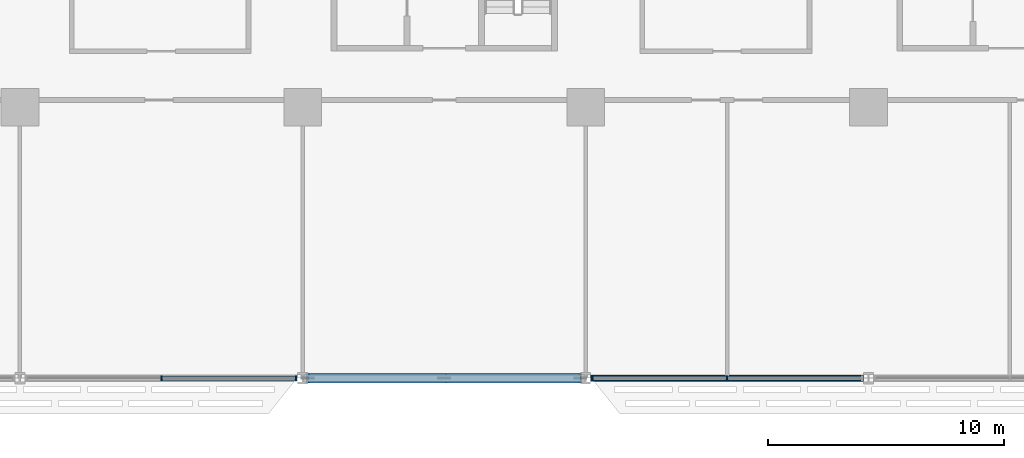
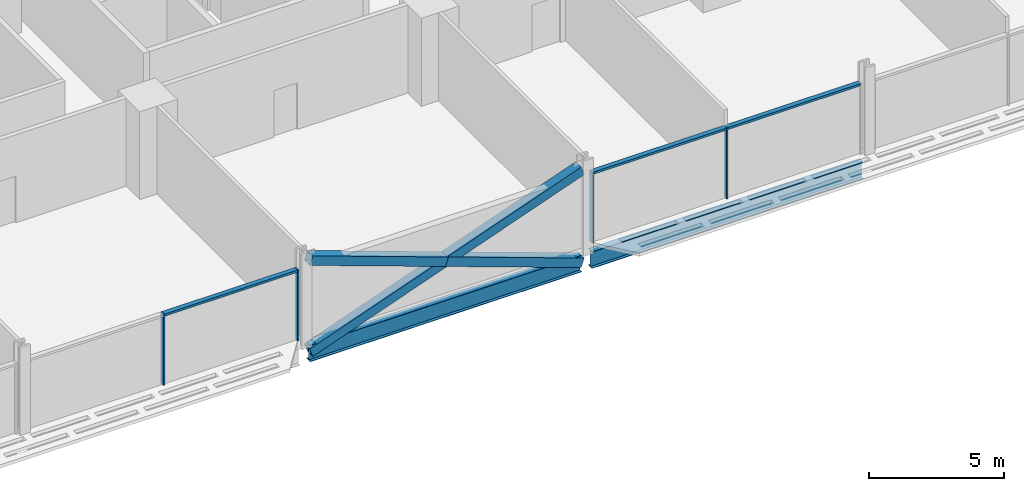
# One storey, part 4 of 28: 10 members, 2 beams, 2 elements without a shape of their own.
"""IFC4 building model written with IfcOpenShell, lengths in metres."""

from ifc_helpers import new_model, si_unit, direction, frame, origin, origin_2d, place, context, subcontext, project, spatial, rectangle, hollow_rectangle, i_section, extrude, material, material_profile, profile_set, type_object, element, aggregate, save


model = new_model("IFC4")

# Units and contexts
model_context = context("Model", 3, precision=1e-05, world=origin(), true_north=direction((0.0, 1.0)))
body_context = subcontext(model_context, "Body", "Model", "MODEL_VIEW")
ifc_project = project(units=[si_unit("LENGTHUNIT", "METRE"), si_unit("AREAUNIT", "SQUARE_METRE"), si_unit("VOLUMEUNIT", "CUBIC_METRE"), si_unit("PLANEANGLEUNIT", "RADIAN"), si_unit("MASSUNIT", "GRAM", prefix="KILO")], contexts=[model_context])

# Site, building, storey
site_placement = place(None, origin())
site = spatial("IfcSite", under=ifc_project, at=site_placement, CompositionType="ELEMENT")
building_placement = place(site_placement, origin())
building = spatial("IfcBuilding", under=site, at=building_placement, Name="Mahtab Terrace Research Tower", CompositionType="ELEMENT")
storey_placement = place(building_placement, frame((0.0, 0.0, 33.0)))
storey = spatial("IfcBuildingStorey", under=building, at=storey_placement, Name="L07", CompositionType="ELEMENT", Elevation=33.0)

# Members
ifc_material_1 = material(Name="Steel ASTM A500 Gr C", Category="steel")
ifc_material_profile_1 = material_profile(ifc_material_1, hollow_rectangle(XDim=0.406494140625, YDim=0.406494140625, WallThickness=0.01904296875, at=origin_2d()), Name="HSS16X16X3/4")
ifc_profile_set_1 = profile_set([ifc_material_profile_1], Name="Steel ASTM A500 Gr C")
member_type_1 = type_object("IfcMemberType", Name="HSS 16x16x3/4 brace XB161634", PredefinedType="BRACE", material=ifc_profile_set_1)
member_1_placement = place(storey_placement, frame((-5.7841796875, -23.0, -0.64111328125), z_axis=(0.941388097231, 0.0, 0.337325436917), x_axis=(0.0, 1.0, 0.0)))
element("IfcMember", 1, at=member_1_placement, inside=storey, type_object=member_type_1, Name="Exoskeleton brace L07 15 a", PredefinedType="BRACE", context=body_context, shape_type="SweptSolid", body=[
    extrude(hollow_rectangle(XDim=0.406494140625, YDim=0.406494140625, WallThickness=0.01904296875, at=origin_2d()), origin(), (0.0, 0.0, 1.0), 12.28857421875),
])
for number, where, z_axis, x_axis, name in (
    (2, (5.7841796875, -23.0, -0.64111328125), (-0.941381788192, 0.0, 0.337343043295), (0.0, -1.0, 0.0), "Exoskeleton brace L07 15 b1"),
    (3, (0.0, -23.0, 1.431640625), (-0.941394406025, 0.0, 0.337307830185), (0.0, -1.0, 0.0), "Exoskeleton brace L07 15 b2"),
):
    element("IfcMember", number, at=place(storey_placement, frame(where, z_axis=z_axis, x_axis=x_axis)), inside=storey, type_object=member_type_1, Name=name, PredefinedType="BRACE", context=body_context, shape_type="SweptSolid", body=[
        extrude(hollow_rectangle(XDim=0.406494140625, YDim=0.406494140625, WallThickness=0.01904296875, at=origin_2d()), origin(), (0.0, 0.0, 1.0), 6.144287109375),
    ])

# Curtain wall, members
ifc_material_2 = material(Name="Laboratory ribbon curtain wall")
curtain_wall_type = type_object("IfcCurtainWallType", Name="Laboratory ribbon curtain wall", PredefinedType="NOTDEFINED", material=ifc_material_2)
curtain_wall_1_placement = place(storey_placement, origin())
curtain_wall_1 = element("IfcCurtainWall", 4, at=curtain_wall_1_placement, inside=storey, type_object=curtain_wall_type, Name="EN.L07.13.24", PredefinedType="NOTDEFINED")
ifc_material_3 = material(Name="Natural anodised aluminium", Category="aluminium")
ifc_material_profile_2 = material_profile(ifc_material_3, rectangle(XDim=0.199951171875, YDim=0.06494140625, at=origin_2d()), Name="MULLION 65x200")
ifc_profile_set_2 = profile_set([ifc_material_profile_2], Name="Natural anodised aluminium")
member_type_2 = type_object("IfcMemberType", Name="Laboratory ribbon curtain wall mullion", PredefinedType="MULLION", material=ifc_profile_set_2)
member_2_placement = place(storey_placement, frame((-12.0, -23.0, 0.0), z_axis=(0.0, 0.0, 1.0), x_axis=(0.0, 1.0, 0.0)))
member_2 = element("IfcMember", 5, at=member_2_placement, type_object=member_type_2, Name="CWL-1 mullion 2", PredefinedType="MULLION", context=body_context, shape_type="SweptSolid", body=[
    extrude(rectangle(XDim=0.199951171875, YDim=0.06494140625, at=origin_2d()), origin(), (0.0, 0.0, 1.0), 3.203125),
])
member_3_placement = place(storey_placement, frame((-6.281494140625, -23.0, 0.0), z_axis=(0.0, 0.0, 1.0), x_axis=(0.0, 1.0, 0.0)))
member_3 = element("IfcMember", 6, at=member_3_placement, type_object=member_type_2, Name="CWL-1 mullion 3", PredefinedType="MULLION", context=body_context, shape_type="SweptSolid", body=[
    extrude(rectangle(XDim=0.199951171875, YDim=0.06494140625, at=origin_2d()), origin(), (0.0, 0.0, 1.0), 3.203125),
])

curtain_wall_2_placement = place(storey_placement, origin())
curtain_wall_2 = element("IfcCurtainWall", 7, at=curtain_wall_2_placement, inside=storey, type_object=curtain_wall_type, Name="EN.L07.13.26", PredefinedType="NOTDEFINED")
member_4_placement = place(storey_placement, frame((6.281494140625, -23.0, 0.0), z_axis=(0.0, 0.0, 1.0), x_axis=(0.0, 1.0, 0.0)))
member_4 = element("IfcMember", 8, at=member_4_placement, type_object=member_type_2, Name="CWL-1 mullion 1", PredefinedType="MULLION", context=body_context, shape_type="SweptSolid", body=[
    extrude(rectangle(XDim=0.199951171875, YDim=0.06494140625, at=origin_2d()), origin(), (0.0, 0.0, 1.0), 3.203125),
])
member_5_placement = place(storey_placement, frame((12.0, -23.0, 0.0), z_axis=(0.0, 0.0, 1.0), x_axis=(0.0, 1.0, 0.0)))
member_5 = element("IfcMember", 9, at=member_5_placement, type_object=member_type_2, Name="CWL-1 mullion 2", PredefinedType="MULLION", context=body_context, shape_type="SweptSolid", body=[
    extrude(rectangle(XDim=0.199951171875, YDim=0.06494140625, at=origin_2d()), origin(), (0.0, 0.0, 1.0), 3.203125),
])

# Member
ifc_material_profile_3 = material_profile(ifc_material_3, rectangle(XDim=0.199951171875, YDim=0.10009765625, at=origin_2d()), Name="TRANSOM 100x200")
ifc_profile_set_3 = profile_set([ifc_material_profile_3], Name="Natural anodised aluminium")
member_type_3 = type_object("IfcMemberType", Name="Laboratory ribbon curtain wall transom", PredefinedType="USERDEFINED", material=ifc_profile_set_3)
member_6_placement = place(storey_placement, frame((-11.967529296875, -23.0, 3.153076171875), z_axis=(1.0, 0.0, 0.0), x_axis=(0.0, 1.0, 0.0)))
member_6 = element("IfcMember", 10, at=member_6_placement, type_object=member_type_3, Name="CWL-1 transom 2", ObjectType="TRANSOM", PredefinedType="USERDEFINED", context=body_context, shape_type="SweptSolid", body=[
    extrude(rectangle(XDim=0.199951171875, YDim=0.10009765625, at=origin_2d()), origin(), (0.0, 0.0, 1.0), 5.653564453125),
])

aggregate(curtain_wall_1, [member_2, member_3, member_6])

member_7_placement = place(storey_placement, frame((6.31396484375, -23.0, 3.153076171875), z_axis=(1.0, 0.0, 0.0), x_axis=(0.0, 1.0, 0.0)))
member_7 = element("IfcMember", 11, at=member_7_placement, type_object=member_type_3, Name="CWL-1 transom 1", ObjectType="TRANSOM", PredefinedType="USERDEFINED", context=body_context, shape_type="SweptSolid", body=[
    extrude(rectangle(XDim=0.199951171875, YDim=0.10009765625, at=origin_2d()), origin(), (0.0, 0.0, 1.0), 5.653564453125),
])

member_8_placement = place(storey_placement, frame((12.032470703125, -23.0, 3.153076171875), z_axis=(1.0, 0.0, 0.0), x_axis=(0.0, 1.0, 0.0)))
member_8 = element("IfcMember", 12, at=member_8_placement, type_object=member_type_3, Name="CWL-1 transom 2", ObjectType="TRANSOM", PredefinedType="USERDEFINED", context=body_context, shape_type="SweptSolid", body=[
    extrude(rectangle(XDim=0.199951171875, YDim=0.10009765625, at=origin_2d()), origin(), (0.0, 0.0, 1.0), 5.653564453125),
])

aggregate(curtain_wall_2, [member_4, member_5, member_7, member_8])

# Beams
ifc_material_4 = material(Name="Steel ASTM A992 Gr 50", Category="steel")
ifc_material_profile_4 = material_profile(ifc_material_4, i_section(OverallWidth=0.2666015625, OverallDepth=0.7568359375, WebThickness=0.013916015625, FlangeThickness=0.019287109375, at=origin_2d()), Name="W30X108")
ifc_profile_set_4 = profile_set([ifc_material_profile_4], Name="Steel ASTM A992 Gr 50")
beam_type = type_object("IfcBeamType", Name="W30x108 beam BS30108", PredefinedType="BEAM", material=ifc_profile_set_4)
for number, where, z_axis, x_axis, name in (
    (13, (-5.7841796875, -23.0, -0.718505859375), (1.0, 0.0, 0.0), (0.0, 1.0, 0.0), "Spandrel beam L07 15"),
    (14, (6.2158203125, -23.0, -0.718505859375), (1.0, 0.0, 0.0), (0.0, 1.0, 0.0), "Spandrel beam L07 16"),
):
    element("IfcBeam", number, at=place(storey_placement, frame(where, z_axis=z_axis, x_axis=x_axis)), inside=storey, type_object=beam_type, Name=name, PredefinedType="BEAM", context=body_context, shape_type="SweptSolid", body=[
        extrude(i_section(OverallWidth=0.2666015625, OverallDepth=0.7568359375, WebThickness=0.013916015625, FlangeThickness=0.019287109375, at=origin_2d()), origin(), (0.0, 0.0, 1.0), 11.568359375),
    ])

save(model, "model.ifc")
